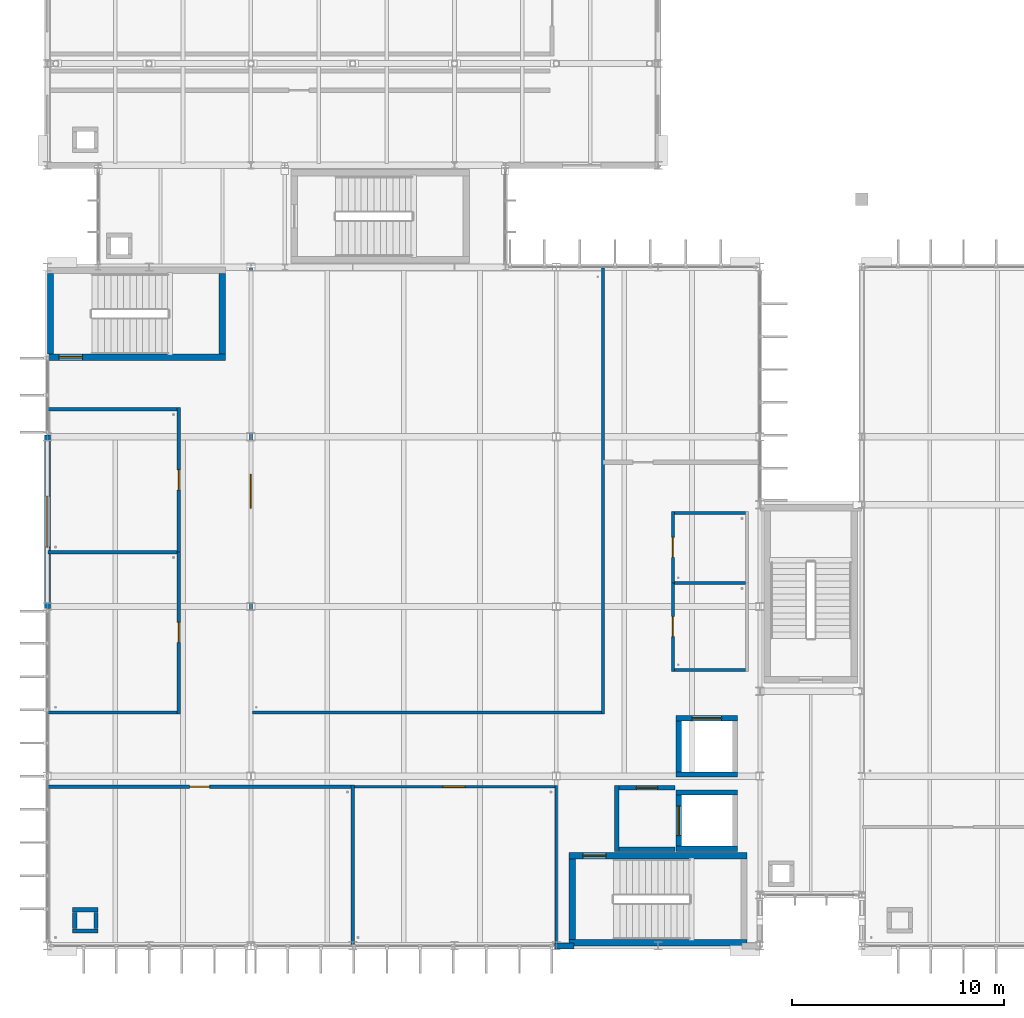
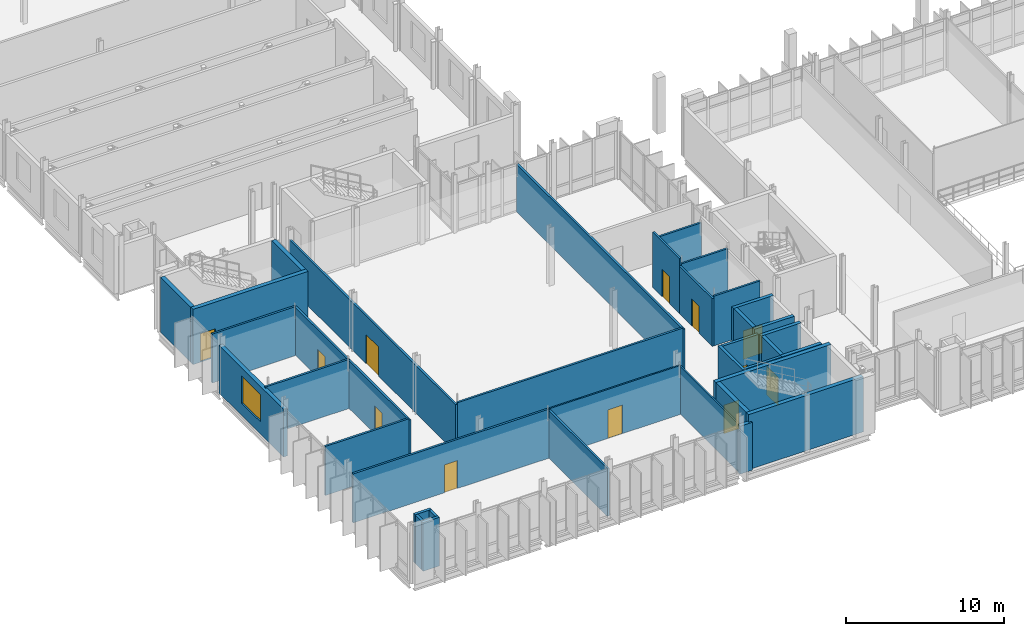
# One storey, part 61 of 110: 38 walls, 12 doors, 1 window, 13 openings.
"""IFC4 building model written with IfcOpenShell, lengths in metres."""

from ifc_helpers import new_model, si_unit, direction, frame, frame_2d, origin, place, context, subcontext, project, spatial, rectangle, extrude, material, layer, layer_set, type_object, element, fill, save


model = new_model("IFC4")

# Units and contexts
model_context = context("Model", 3, precision=1e-05, world=origin(), true_north=direction((0.0, 1.0)))
body_context = subcontext(model_context, "Body", "Model", "MODEL_VIEW")
ifc_project = project(units=[si_unit("LENGTHUNIT", "METRE"), si_unit("AREAUNIT", "SQUARE_METRE"), si_unit("VOLUMEUNIT", "CUBIC_METRE"), si_unit("PLANEANGLEUNIT", "RADIAN"), si_unit("MASSUNIT", "GRAM", prefix="KILO")], contexts=[model_context])

# Site, building, storey
site_placement = place(None, origin())
site = spatial("IfcSite", under=ifc_project, at=site_placement, CompositionType="ELEMENT")
building_placement = place(site_placement, origin())
building = spatial("IfcBuilding", under=site, at=building_placement, Name="Dunescarp Central Library", CompositionType="ELEMENT")
storey_placement = place(building_placement, frame((0.0, 0.0, 9.60009765625)))
storey = spatial("IfcBuildingStorey", under=building, at=storey_placement, Name="L02", CompositionType="ELEMENT", Elevation=9.60009765625)

# Wall, opening, door
ifc_material_1 = material(Name="Gypsum plasterboard acoustic partition")
ifc_layer_1 = layer(ifc_material_1, 0.14990234375)
ifc_layer_set_1 = layer_set([ifc_layer_1], Name="Gypsum plasterboard acoustic partition")
wall_type_1 = type_object("IfcWallType", Name="ARC-PT-AC150", PredefinedType="PARTITIONING", material=ifc_layer_set_1)
wall_1_placement = place(storey_placement, frame((0.0400390625, 12.300048828125, 0.0), z_axis=(0.0, 0.0, 1.0), x_axis=(1.0, 0.0, 0.0)))
wall_1 = element("IfcWall", 1, at=wall_1_placement, inside=storey, type_object=wall_type_1, Name="L02 partition PT-L02-0057", PredefinedType="PARTITIONING", context=body_context, shape_type="SweptSolid", body=[
    extrude(rectangle(XDim=14.284912109375, YDim=0.14990234375, at=frame_2d((7.142578125, 0.0))), origin(), (0.0, 0.0, 1.0), 3.784912109375),
])
opening_1_placement = place(wall_1_placement, frame((6.66796875, 0.0, 0.0)))
opening_1 = element("IfcOpeningElement", 2, at=opening_1_placement, cuts=wall_1, Name="Opening DR-L02-0021", PredefinedType="OPENING", context=body_context, shape_type="SweptSolid", body=[
    extrude(rectangle(XDim=0.949951171875, YDim=2.14990234375, at=frame_2d((0.47509765625, 1.074951171875))), frame((0.0, 0.0849609375, 0.0), z_axis=(0.0, -1.0, 0.0), x_axis=(1.0, 0.0, 0.0)), (0.0, 0.0, 1.0), 0.169921875),
])
ifc_material_2 = material(Name="Hardwood solid-core timber leaf", Category="wood")
door_type_1 = type_object("IfcDoorType", Name="ARC-DR-INT950", OperationType="NOTDEFINED", PredefinedType="DOOR", material=ifc_material_2)
door_1_placement = place(opening_1_placement, origin())
door_1 = element("IfcDoor", 3, at=door_1_placement, inside=storey, type_object=door_type_1, Name="L02 interior door DR-L02-0021", OperationType="SINGLE_SWING_RIGHT", OverallHeight=2.14990234375, OverallWidth=0.949951171875, PredefinedType="DOOR", context=body_context, shape_type="SweptSolid", body=[
    extrude(rectangle(XDim=0.949951171875, YDim=2.14990234375, at=frame_2d((0.47509765625, 1.074951171875))), frame((0.0, 0.02490234375, 0.0), z_axis=(0.0, -1.0, 0.0), x_axis=(1.0, 0.0, 0.0)), (0.0, 0.0, 1.0), 0.050048828125),
])
fill(opening_1, door_1)

# Walls
wall_2_placement = place(storey_placement, frame((14.39990234375, 4.840087890625, 0.0), z_axis=(0.0, 0.0, 1.0), x_axis=(0.0, 1.0, 0.0)))
element("IfcWall", 4, at=wall_2_placement, inside=storey, type_object=wall_type_1, Name="L02 partition PT-L02-0058", PredefinedType="PARTITIONING", context=body_context, shape_type="SweptSolid", body=[
    extrude(rectangle(XDim=7.534912109375, YDim=0.14990234375, at=frame_2d((3.767578125, 0.0))), origin(), (0.0, 0.0, 1.0), 3.684814453125),
])
for number, where, z_axis, x_axis, name in (
    (5, (0.0400390625, 15.800048828125, 0.0), (0.0, 0.0, 1.0), (1.0, 0.0, 0.0), "L02 partition PT-L02-0061"),
    (6, (0.0400390625, 23.360107421875, 0.0), (0.0, 0.0, 1.0), (1.0, 0.0, 0.0), "L02 partition PT-L02-0062"),
):
    element("IfcWall", number, at=place(storey_placement, frame(where, z_axis=z_axis, x_axis=x_axis)), inside=storey, type_object=wall_type_1, Name=name, PredefinedType="PARTITIONING", context=body_context, shape_type="SweptSolid", body=[
        extrude(rectangle(XDim=6.0849609375, YDim=0.14990234375, at=frame_2d((3.04248046875, 0.0))), origin(), (0.0, 0.0, 1.0), 3.784912109375),
    ])

# Wall, opening, door
wall_3_placement = place(storey_placement, frame((6.199951171875, 15.72509765625, 0.0), z_axis=(0.0, 0.0, 1.0), x_axis=(0.0, 1.0, 0.0)))
wall_3 = element("IfcWall", 7, at=wall_3_placement, inside=storey, type_object=wall_type_1, Name="L02 partition PT-L02-0063", PredefinedType="PARTITIONING", context=body_context, shape_type="SweptSolid", body=[
    extrude(rectangle(XDim=7.7099609375, YDim=0.14990234375, at=frame_2d((3.85498046875, 0.0))), origin(), (0.0, 0.0, 1.0), 3.684814453125),
])
opening_2_placement = place(wall_3_placement, frame((3.3798828125, 0.0, 0.0)))
opening_2 = element("IfcOpeningElement", 8, at=opening_2_placement, cuts=wall_3, Name="Opening DR-L02-0023", PredefinedType="OPENING", context=body_context, shape_type="SweptSolid", body=[
    extrude(rectangle(XDim=0.949951171875, YDim=2.14990234375, at=frame_2d((0.47509765625, 1.074951171875))), frame((0.0, 0.0849609375, 0.0), z_axis=(0.0, -1.0, 0.0), x_axis=(1.0, 0.0, 0.0)), (0.0, 0.0, 1.0), 0.169921875),
])
door_2_placement = place(opening_2_placement, origin())
door_2 = element("IfcDoor", 9, at=door_2_placement, inside=storey, type_object=door_type_1, Name="L02 interior door DR-L02-0023", OperationType="SINGLE_SWING_RIGHT", OverallHeight=2.14990234375, OverallWidth=0.949951171875, PredefinedType="DOOR", context=body_context, shape_type="SweptSolid", body=[
    extrude(rectangle(XDim=0.949951171875, YDim=2.14990234375, at=frame_2d((0.47509765625, 1.074951171875))), frame((0.0, 0.02490234375, 0.0), z_axis=(0.0, -1.0, 0.0), x_axis=(1.0, 0.0, 0.0)), (0.0, 0.0, 1.0), 0.050048828125),
])
fill(opening_2, door_2)

# Wall
wall_4_placement = place(storey_placement, frame((0.0400390625, 30.10009765625, 0.0), z_axis=(0.0, 0.0, 1.0), x_axis=(1.0, 0.0, 0.0)))
element("IfcWall", 10, at=wall_4_placement, inside=storey, type_object=wall_type_1, Name="L02 partition PT-L02-0064", PredefinedType="PARTITIONING", context=body_context, shape_type="SweptSolid", body=[
    extrude(rectangle(XDim=6.0849609375, YDim=0.14990234375, at=frame_2d((3.04248046875, 0.0))), origin(), (0.0, 0.0, 1.0), 3.784912109375),
])

# Wall, opening, door
wall_5_placement = place(storey_placement, frame((6.199951171875, 23.360107421875, 0.0), z_axis=(0.0, 0.0, 1.0), x_axis=(0.0, 1.0, 0.0)))
wall_5 = element("IfcWall", 11, at=wall_5_placement, inside=storey, type_object=wall_type_1, Name="L02 partition PT-L02-0065", PredefinedType="PARTITIONING", context=body_context, shape_type="SweptSolid", body=[
    extrude(rectangle(XDim=6.81494140625, YDim=0.14990234375, at=frame_2d((3.407470703125, 0.0))), origin(), (0.0, 0.0, 1.0), 3.684814453125),
])
opening_3_placement = place(wall_5_placement, frame((2.93310546875, 0.0, 0.0)))
opening_3 = element("IfcOpeningElement", 12, at=opening_3_placement, cuts=wall_5, Name="Opening DR-L02-0024", PredefinedType="OPENING", context=body_context, shape_type="SweptSolid", body=[
    extrude(rectangle(XDim=0.949951171875, YDim=2.14990234375, at=frame_2d((0.47509765625, 1.074951171875))), frame((0.0, 0.0849609375, 0.0), z_axis=(0.0, -1.0, 0.0), x_axis=(1.0, 0.0, 0.0)), (0.0, 0.0, 1.0), 0.169921875),
])
door_3_placement = place(opening_3_placement, origin())
door_3 = element("IfcDoor", 13, at=door_3_placement, inside=storey, type_object=door_type_1, Name="L02 interior door DR-L02-0024", OperationType="SINGLE_SWING_LEFT", OverallHeight=2.14990234375, OverallWidth=0.949951171875, PredefinedType="DOOR", context=body_context, shape_type="SweptSolid", body=[
    extrude(rectangle(XDim=0.949951171875, YDim=2.14990234375, at=frame_2d((0.47509765625, 1.074951171875))), frame((0.0, 0.02490234375, 0.0), z_axis=(0.0, -1.0, 0.0), x_axis=(1.0, 0.0, 0.0)), (0.0, 0.0, 1.0), 0.050048828125),
])
fill(opening_3, door_3)

# Wall
wall_6_placement = place(storey_placement, frame((9.675048828125, 15.800048828125, 0.0), z_axis=(0.0, 0.0, 1.0), x_axis=(1.0, 0.0, 0.0)))
element("IfcWall", 14, at=wall_6_placement, inside=storey, type_object=wall_type_1, Name="L02 partition PT-L02-0066", PredefinedType="PARTITIONING", context=body_context, shape_type="SweptSolid", body=[
    extrude(rectangle(XDim=16.449951171875, YDim=0.14990234375, at=frame_2d((8.22509765625, 0.0))), origin(), (0.0, 0.0, 1.0), 3.784912109375),
])

# Wall, opening, door
wall_7_placement = place(storey_placement, frame((9.60009765625, 15.72509765625, 0.0), z_axis=(0.0, 0.0, 1.0), x_axis=(0.0, 1.0, 0.0)))
wall_7 = element("IfcWall", 15, at=wall_7_placement, inside=storey, type_object=wall_type_1, Name="L02 partition PT-L02-0067", PredefinedType="PARTITIONING", context=body_context, shape_type="SweptSolid", body=[
    extrude(rectangle(XDim=21.034912109375, YDim=0.14990234375, at=frame_2d((10.517578125, 0.0))), origin(), (0.0, 0.0, 1.0), 3.684814453125),
])
opening_4_placement = place(wall_7_placement, frame((9.717041015625, 0.0, 0.0)))
opening_4 = element("IfcOpeningElement", 16, at=opening_4_placement, cuts=wall_7, Name="Opening DR-L02-0025", PredefinedType="OPENING", context=body_context, shape_type="SweptSolid", body=[
    extrude(rectangle(XDim=1.60009765625, YDim=2.25, at=frame_2d((0.800048828125, 1.125))), frame((0.0, 0.0849609375, 0.0), z_axis=(0.0, -1.0, 0.0), x_axis=(1.0, 0.0, 0.0)), (0.0, 0.0, 1.0), 0.169921875),
])
ifc_material_3 = material(Name="Marine-grade anodised aluminium 6063-T6", Category="aluminium")
door_type_2 = type_object("IfcDoorType", Name="ARC-DR-DBL1600", OperationType="DOUBLE_DOOR_SINGLE_SWING", PredefinedType="DOOR", material=ifc_material_3)
door_4_placement = place(opening_4_placement, origin())
door_4 = element("IfcDoor", 17, at=door_4_placement, inside=storey, type_object=door_type_2, Name="L02 interior door DR-L02-0025", OperationType="DOUBLE_DOOR_SINGLE_SWING", OverallHeight=2.25, OverallWidth=1.60009765625, PredefinedType="DOOR", context=body_context, shape_type="SweptSolid", body=[
    extrude(rectangle(XDim=1.60009765625, YDim=2.25, at=frame_2d((0.800048828125, 1.125))), frame((0.0, 0.02490234375, 0.0), z_axis=(0.0, -1.0, 0.0), x_axis=(1.0, 0.0, 0.0)), (0.0, 0.0, 1.0), 0.050048828125),
])
fill(opening_4, door_4)

# Walls
wall_8_placement = place(storey_placement, frame((26.199951171875, 15.72509765625, 0.0), z_axis=(0.0, 0.0, 1.0), x_axis=(0.0, 1.0, 0.0)))
element("IfcWall", 18, at=wall_8_placement, inside=storey, type_object=wall_type_1, Name="L02 partition PT-L02-0068", PredefinedType="PARTITIONING", context=body_context, shape_type="SweptSolid", body=[
    extrude(rectangle(XDim=21.034912109375, YDim=0.14990234375, at=frame_2d((10.517578125, 0.0))), origin(), (0.0, 0.0, 1.0), 3.684814453125),
])
ifc_material_4 = material(Name="Concrete C35/45", Category="concrete")
ifc_layer_2 = layer(ifc_material_4, 0.199951171875)
ifc_layer_set_2 = layer_set([ifc_layer_2], Name="Concrete C35/45")
wall_type_2 = type_object("IfcWallType", Name="ARC-PT-FIRE200", PredefinedType="PARTITIONING", material=ifc_layer_set_2)
wall_9_placement = place(storey_placement, frame((26.949951171875, 9.35009765625, 0.0), z_axis=(0.0, 0.0, 1.0), x_axis=(1.0, 0.0, 0.0)))
element("IfcWall", 19, at=wall_9_placement, inside=storey, type_object=wall_type_2, Name="L02 partition PT-L02-0047", PredefinedType="PARTITIONING", context=body_context, shape_type="SweptSolid", body=[
    extrude(rectangle(XDim=2.650146484375, YDim=0.199951171875, at=frame_2d((1.3251953125, 0.0))), origin(), (0.0, 0.0, 1.0), 4.260009765625),
])

# Wall, opening, door
wall_10_placement = place(storey_placement, frame((26.949951171875, 12.25, 0.0), z_axis=(0.0, 0.0, 1.0), x_axis=(1.0, 0.0, 0.0)))
wall_10 = element("IfcWall", 20, at=wall_10_placement, inside=storey, type_object=wall_type_2, Name="L02 partition PT-L02-0048", PredefinedType="PARTITIONING", context=body_context, shape_type="SweptSolid", body=[
    extrude(rectangle(XDim=2.650146484375, YDim=0.199951171875, at=frame_2d((1.3251953125, 0.0))), origin(), (0.0, 0.0, 1.0), 4.260009765625),
])
opening_5_placement = place(wall_10_placement, frame((0.824951171875, 0.0, 0.0)))
opening_5 = element("IfcOpeningElement", 21, at=opening_5_placement, cuts=wall_10, Name="Opening DR-L02-0018", PredefinedType="OPENING", context=body_context, shape_type="SweptSolid", body=[
    extrude(rectangle(XDim=1.0, YDim=2.199951171875, at=frame_2d((0.5, 1.10009765625))), frame((0.0, 0.10986328125, 0.0), z_axis=(0.0, -1.0, 0.0), x_axis=(1.0, 0.0, 0.0)), (0.0, 0.0, 1.0), 0.219970703125),
])
door_type_3 = type_object("IfcDoorType", Name="ARC-DR-INT1000", OperationType="NOTDEFINED", PredefinedType="DOOR", material=ifc_material_2)
door_5_placement = place(opening_5_placement, origin())
door_5 = element("IfcDoor", 22, at=door_5_placement, inside=storey, type_object=door_type_3, Name="L02 interior door DR-L02-0018", OperationType="SINGLE_SWING_LEFT", OverallHeight=2.199951171875, OverallWidth=1.0, PredefinedType="DOOR", context=body_context, shape_type="SweptSolid", body=[
    extrude(rectangle(XDim=1.0, YDim=2.199951171875, at=frame_2d((0.5, 1.10009765625))), frame((0.0, 0.02490234375, 0.0), z_axis=(0.0, -1.0, 0.0), x_axis=(1.0, 0.0, 0.0)), (0.0, 0.0, 1.0), 0.050048828125),
])
fill(opening_5, door_5)

# Wall
wall_11_placement = place(storey_placement, frame((26.85009765625, 9.25, 0.0), z_axis=(0.0, 0.0, 1.0), x_axis=(0.0, 1.0, 0.0)))
element("IfcWall", 23, at=wall_11_placement, inside=storey, type_object=wall_type_2, Name="L02 partition PT-L02-0049", PredefinedType="PARTITIONING", context=body_context, shape_type="SweptSolid", body=[
    extrude(rectangle(XDim=3.10009765625, YDim=0.199951171875, at=frame_2d((1.550048828125, 0.0))), origin(), (0.0, 0.0, 1.0), 4.260009765625),
])

# Wall, opening, door
ifc_layer_3 = layer(ifc_material_1, 0.110107421875)
ifc_layer_set_3 = layer_set([ifc_layer_3], Name="Gypsum plasterboard acoustic partition")
wall_type_3 = type_object("IfcWallType", Name="ARC-PT-GYP110", PredefinedType="PARTITIONING", material=ifc_layer_set_3)
wall_12_placement = place(storey_placement, frame((14.39990234375, 12.300048828125, 0.0), z_axis=(0.0, 0.0, 1.0), x_axis=(1.0, 0.0, 0.0)))
wall_12 = element("IfcWall", 24, at=wall_12_placement, inside=storey, type_object=wall_type_3, Name="L02 partition PT-L02-0059", PredefinedType="PARTITIONING", context=body_context, shape_type="SweptSolid", body=[
    extrude(rectangle(XDim=9.545166015625, YDim=0.110107421875, at=frame_2d((4.7724609375, 0.0))), origin(), (0.0, 0.0, 1.0), 3.784912109375),
])
opening_6_placement = place(wall_12_placement, frame((4.2470703125, 0.0, 0.0)))
opening_6 = element("IfcOpeningElement", 25, at=opening_6_placement, cuts=wall_12, Name="Opening DR-L02-0022", PredefinedType="OPENING", context=body_context, shape_type="SweptSolid", body=[
    extrude(rectangle(XDim=1.050048828125, YDim=2.199951171875, at=frame_2d((0.52490234375, 1.10009765625))), frame((0.0, 0.06494140625, 0.0), z_axis=(0.0, -1.0, 0.0), x_axis=(1.0, 0.0, 0.0)), (0.0, 0.0, 1.0), 0.130126953125),
])
door_type_4 = type_object("IfcDoorType", Name="ARC-DR-INT1050", OperationType="NOTDEFINED", PredefinedType="DOOR", material=ifc_material_2)
door_6_placement = place(opening_6_placement, origin())
door_6 = element("IfcDoor", 26, at=door_6_placement, inside=storey, type_object=door_type_4, Name="L02 interior door DR-L02-0022", OperationType="SINGLE_SWING_LEFT", OverallHeight=2.199951171875, OverallWidth=1.050048828125, PredefinedType="DOOR", context=body_context, shape_type="SweptSolid", body=[
    extrude(rectangle(XDim=1.050048828125, YDim=2.199951171875, at=frame_2d((0.52490234375, 1.10009765625))), frame((0.0, 0.02490234375, 0.0), z_axis=(0.0, -1.0, 0.0), x_axis=(1.0, 0.0, 0.0)), (0.0, 0.0, 1.0), 0.050048828125),
])
fill(opening_6, door_6)

# Walls
wall_13_placement = place(storey_placement, frame((24.0, 4.840087890625, 0.0), z_axis=(0.0, 0.0, 1.0), x_axis=(0.0, 1.0, 0.0)))
element("IfcWall", 27, at=wall_13_placement, inside=storey, type_object=wall_type_3, Name="L02 partition PT-L02-0060", PredefinedType="PARTITIONING", context=body_context, shape_type="SweptSolid", body=[
    extrude(rectangle(XDim=7.514892578125, YDim=0.110107421875, at=frame_2d((3.75732421875, 0.0))), origin(), (0.0, 0.0, 1.0), 3.684814453125),
])
ifc_material_5 = material(Name="Autoclaved aerated concrete block", Category="concrete")
ifc_layer_4 = layer(ifc_material_5, 0.139892578125)
ifc_layer_set_4 = layer_set([ifc_layer_4], Name="Autoclaved aerated concrete block")
wall_type_4 = type_object("IfcWallType", Name="ARC-PT-WET140", PredefinedType="PARTITIONING", material=ifc_layer_set_4)
for number, where, z_axis, x_axis, name in (
    (28, (29.570068359375, 17.800048828125, 0.0), (0.0, 0.0, 1.0), (1.0, 0.0, 0.0), "L02 partition PT-L02-0050"),
    (29, (29.570068359375, 21.89990234375, 0.0), (0.0, 0.0, 1.0), (1.0, 0.0, 0.0), "L02 partition PT-L02-0051"),
):
    element("IfcWall", number, at=place(storey_placement, frame(where, z_axis=z_axis, x_axis=x_axis)), inside=storey, type_object=wall_type_4, Name=name, PredefinedType="PARTITIONING", context=body_context, shape_type="SweptSolid", body=[
        extrude(rectangle(XDim=3.35986328125, YDim=0.139892578125, at=frame_2d((1.679931640625, 0.0))), origin(), (0.0, 0.0, 1.0), 3.8349609375),
    ])

# Wall, opening, door
wall_14_placement = place(storey_placement, frame((29.5, 17.72998046875, 0.0), z_axis=(0.0, 0.0, 1.0), x_axis=(0.0, 1.0, 0.0)))
wall_14 = element("IfcWall", 30, at=wall_14_placement, inside=storey, type_object=wall_type_4, Name="L02 partition PT-L02-0052", PredefinedType="PARTITIONING", context=body_context, shape_type="SweptSolid", body=[
    extrude(rectangle(XDim=4.239990234375, YDim=0.139892578125, at=frame_2d((2.1201171875, 0.0))), origin(), (0.0, 0.0, 1.0), 3.684814453125),
])
opening_7_placement = place(wall_14_placement, frame((1.64501953125, 0.0, 0.0)))
opening_7 = element("IfcOpeningElement", 31, at=opening_7_placement, cuts=wall_14, Name="Opening DR-L02-0019", PredefinedType="OPENING", context=body_context, shape_type="SweptSolid", body=[
    extrude(rectangle(XDim=0.949951171875, YDim=2.10009765625, at=frame_2d((0.47509765625, 1.050048828125))), frame((0.0, 0.080078125, 0.0), z_axis=(0.0, -1.0, 0.0), x_axis=(1.0, 0.0, 0.0)), (0.0, 0.0, 1.0), 0.159912109375),
])
door_type_5 = type_object("IfcDoorType", Name="ARC-DR-WC950", OperationType="NOTDEFINED", PredefinedType="DOOR", material=ifc_material_2)
door_7_placement = place(opening_7_placement, origin())
door_7 = element("IfcDoor", 32, at=door_7_placement, inside=storey, type_object=door_type_5, Name="L02 interior door DR-L02-0019", OperationType="SINGLE_SWING_RIGHT", OverallHeight=2.10009765625, OverallWidth=0.949951171875, PredefinedType="DOOR", context=body_context, shape_type="SweptSolid", body=[
    extrude(rectangle(XDim=0.949951171875, YDim=2.10009765625, at=frame_2d((0.47509765625, 1.050048828125))), frame((0.0, 0.02490234375, 0.0), z_axis=(0.0, -1.0, 0.0), x_axis=(1.0, 0.0, 0.0)), (0.0, 0.0, 1.0), 0.050048828125),
])
fill(opening_7, door_7)

# Wall
wall_15_placement = place(storey_placement, frame((29.570068359375, 25.199951171875, 0.0), z_axis=(0.0, 0.0, 1.0), x_axis=(1.0, 0.0, 0.0)))
element("IfcWall", 33, at=wall_15_placement, inside=storey, type_object=wall_type_4, Name="L02 partition PT-L02-0054", PredefinedType="PARTITIONING", context=body_context, shape_type="SweptSolid", body=[
    extrude(rectangle(XDim=3.35986328125, YDim=0.139892578125, at=frame_2d((1.679931640625, 0.0))), origin(), (0.0, 0.0, 1.0), 3.8349609375),
])

# Wall, opening, door
wall_16_placement = place(storey_placement, frame((29.5, 21.89990234375, 0.0), z_axis=(0.0, 0.0, 1.0), x_axis=(0.0, 1.0, 0.0)))
wall_16 = element("IfcWall", 34, at=wall_16_placement, inside=storey, type_object=wall_type_4, Name="L02 partition PT-L02-0055", PredefinedType="PARTITIONING", context=body_context, shape_type="SweptSolid", body=[
    extrude(rectangle(XDim=3.3701171875, YDim=0.139892578125, at=frame_2d((1.68505859375, 0.0))), origin(), (0.0, 0.0, 1.0), 4.260009765625),
])
opening_8_placement = place(wall_16_placement, frame((1.2099609375, 0.0, 0.0)))
opening_8 = element("IfcOpeningElement", 35, at=opening_8_placement, cuts=wall_16, Name="Opening DR-L02-0020", PredefinedType="OPENING", context=body_context, shape_type="SweptSolid", body=[
    extrude(rectangle(XDim=0.949951171875, YDim=2.10009765625, at=frame_2d((0.47509765625, 1.050048828125))), frame((0.0, 0.080078125, 0.0), z_axis=(0.0, -1.0, 0.0), x_axis=(1.0, 0.0, 0.0)), (0.0, 0.0, 1.0), 0.159912109375),
])
door_8_placement = place(opening_8_placement, origin())
door_8 = element("IfcDoor", 36, at=door_8_placement, inside=storey, type_object=door_type_5, Name="L02 interior door DR-L02-0020", OperationType="SINGLE_SWING_LEFT", OverallHeight=2.10009765625, OverallWidth=0.949951171875, PredefinedType="DOOR", context=body_context, shape_type="SweptSolid", body=[
    extrude(rectangle(XDim=0.949951171875, YDim=2.10009765625, at=frame_2d((0.47509765625, 1.050048828125))), frame((0.0, 0.02490234375, 0.0), z_axis=(0.0, -1.0, 0.0), x_axis=(1.0, 0.0, 0.0)), (0.0, 0.0, 1.0), 0.050048828125),
])
fill(opening_8, door_8)

# Wall
ifc_material_6 = material(Name="Glass-fibre reinforced concrete GRC", Category="concrete")
ifc_layer_5 = layer(ifc_material_6, 0.280029296875)
ifc_layer_set_5 = layer_set([ifc_layer_5], Name="Glass-fibre reinforced concrete GRC")
wall_type_5 = type_object("IfcWallType", Name="ARC-WL-GRC280", PredefinedType="SOLIDWALL", material=ifc_layer_set_5)
wall_17_placement = place(storey_placement, frame((24.8349609375, 4.800048828125, 0.0), z_axis=(0.0, 0.0, 1.0), x_axis=(-1.0, 0.0, 0.0)))
element("IfcWall", 37, at=wall_17_placement, inside=storey, type_object=wall_type_5, Name="L02 external wall EW-V1-010", PredefinedType="SOLIDWALL", context=body_context, shape_type="SweptSolid", body=[
    extrude(rectangle(XDim=0.919921875, YDim=0.280029296875, at=frame_2d((0.4599609375, 0.0))), origin(), (0.0, 0.0, 1.0), 3.684814453125),
])

# Wall, opening, window
wall_18_placement = place(storey_placement, frame((0.0, 20.715087890625, 0.0), z_axis=(0.0, 0.0, 1.0), x_axis=(0.0, 1.0, 0.0)))
wall_18 = element("IfcWall", 38, at=wall_18_placement, inside=storey, type_object=wall_type_5, Name="L02 external wall EW-V1-012", PredefinedType="SOLIDWALL", context=body_context, shape_type="SweptSolid", body=[
    extrude(rectangle(XDim=8.169921875, YDim=0.280029296875, at=frame_2d((4.0849609375, 0.0))), origin(), (0.0, 0.0, 1.0), 3.684814453125),
])
opening_9_placement = place(wall_18_placement, frame((2.885009765625, 0.0, 0.949951171875)))
opening_9 = element("IfcOpeningElement", 39, at=opening_9_placement, cuts=wall_18, Name="Opening WN-003", PredefinedType="OPENING", context=body_context, shape_type="SweptSolid", body=[
    extrude(rectangle(XDim=2.39990234375, YDim=2.10009765625, at=frame_2d((1.199951171875, 1.050048828125))), frame((0.0, 0.14990234375, 0.0), z_axis=(0.0, -1.0, 0.0), x_axis=(1.0, 0.0, 0.0)), (0.0, 0.0, 1.0), 0.300048828125),
])
ifc_material_7 = material(Name="Solar-control laminated double glazing", Category="glass")
window_type = type_object("IfcWindowType", Name="ARC-WN-2400X2100", PartitioningType="SINGLE_PANEL", PredefinedType="WINDOW", material=ifc_material_7)
window_placement = place(opening_9_placement, origin())
window = element("IfcWindow", 40, at=window_placement, inside=storey, type_object=window_type, Name="L02 window WN-003", OverallHeight=2.10009765625, OverallWidth=2.39990234375, PartitioningType="SINGLE_PANEL", PredefinedType="WINDOW", context=body_context, shape_type="SweptSolid", body=[
    extrude(rectangle(XDim=2.39990234375, YDim=2.10009765625, at=frame_2d((1.199951171875, 1.050048828125))), frame((0.0, 0.030029296875, 0.0), z_axis=(0.0, -1.0, 0.0), x_axis=(1.0, 0.0, 0.0)), (0.0, 0.0, 1.0), 0.06005859375),
])
fill(opening_9, window)

# Walls
ifc_layer_6 = layer(ifc_material_4, 0.199951171875)
ifc_layer_set_6 = layer_set([ifc_layer_6], Name="Concrete C35/45")
wall_type_6 = type_object("IfcWallType", Name="ARC-WL-RISER200", PredefinedType="PARTITIONING", material=ifc_layer_set_6)
for number, where, z_axis, x_axis, name in (
    (41, (2.39990234375, 5.5, 0.0), (0.0, 0.0, 1.0), (-1.0, 0.0, 0.0), "L02 V1 duct shaft wall S"),
    (42, (1.199951171875, 6.5, 0.0), (0.0, 0.0, 1.0), (1.0, 0.0, 0.0), "L02 V1 duct shaft wall N"),
):
    element("IfcWall", number, at=place(storey_placement, frame(where, z_axis=z_axis, x_axis=x_axis)), inside=storey, type_object=wall_type_6, Name=name, PredefinedType="PARTITIONING", context=body_context, shape_type="SweptSolid", body=[
        extrude(rectangle(XDim=1.199951171875, YDim=0.199951171875, at=frame_2d((0.60009765625, 0.0))), origin(), (0.0, 0.0, 1.0), 3.760009765625),
    ])
for number, where, z_axis, x_axis, name in (
    (43, (1.300048828125, 5.6201171875, 0.0), (0.0, 0.0, 1.0), (0.0, 1.0, 0.0), "L02 V1 duct shaft wall W"),
    (44, (2.300048828125, 6.3798828125, 0.0), (0.0, 0.0, 1.0), (0.0, -1.0, 0.0), "L02 V1 duct shaft wall E"),
):
    element("IfcWall", number, at=place(storey_placement, frame(where, z_axis=z_axis, x_axis=x_axis)), inside=storey, type_object=wall_type_6, Name=name, PredefinedType="PARTITIONING", context=body_context, shape_type="SweptSolid", body=[
        extrude(rectangle(XDim=0.759765625, YDim=0.199951171875, at=frame_2d((0.3798828125, 0.0))), origin(), (0.0, 0.0, 1.0), 3.760009765625),
    ])
ifc_material_8 = material(Name="Concrete C40/50", Category="concrete")
ifc_layer_7 = layer(ifc_material_8, 0.25)
ifc_layer_set_7 = layer_set([ifc_layer_7], Name="Concrete C40/50")
wall_type_7 = type_object("IfcWallType", Name="STR-WL-CORE250", PredefinedType="SHEAR", material=ifc_layer_set_7)
for number, where, z_axis, x_axis, name in (
    (45, (32.550048828125, 9.375, 0.0), (0.0, 0.0, 1.0), (-1.0, 0.0, 0.0), "L02 FFL-1 lift shaft wall S"),
    (46, (29.64990234375, 12.02490234375, 0.0), (0.0, 0.0, 1.0), (1.0, 0.0, 0.0), "L02 FFL-1 lift shaft wall N"),
):
    element("IfcWall", number, at=place(storey_placement, frame(where, z_axis=z_axis, x_axis=x_axis)), inside=storey, type_object=wall_type_7, Name=name, PredefinedType="SHEAR", context=body_context, shape_type="SweptSolid", body=[
        extrude(rectangle(XDim=2.900146484375, YDim=0.25, at=frame_2d((1.4501953125, 0.0))), origin(), (0.0, 0.0, 1.0), 4.260009765625),
    ])

# Wall, opening, door
wall_19_placement = place(storey_placement, frame((29.77490234375, 9.5, 0.0), z_axis=(0.0, 0.0, 1.0), x_axis=(0.0, 1.0, 0.0)))
wall_19 = element("IfcWall", 47, at=wall_19_placement, inside=storey, type_object=wall_type_7, Name="L02 FFL-1 lift shaft wall W", PredefinedType="SHEAR", context=body_context, shape_type="SweptSolid", body=[
    extrude(rectangle(XDim=2.39990234375, YDim=0.25, at=frame_2d((1.199951171875, 0.0))), origin(), (0.0, 0.0, 1.0), 4.260009765625),
])
opening_10_placement = place(wall_19_placement, frame((0.5, 0.0, 0.0)))
opening_10 = element("IfcOpeningElement", 48, at=opening_10_placement, cuts=wall_19, Name="Opening LD-FFL-1-L02", PredefinedType="OPENING", context=body_context, shape_type="SweptSolid", body=[
    extrude(rectangle(XDim=1.39990234375, YDim=2.199951171875, at=frame_2d((0.699951171875, 1.10009765625))), frame((0.0, 0.135009765625, 0.0), z_axis=(0.0, -1.0, 0.0), x_axis=(1.0, 0.0, 0.0)), (0.0, 0.0, 1.0), 0.27001953125),
])
ifc_material_9 = material(Name="Stainless steel Grade 316L", Category="steel")
door_type_6 = type_object("IfcDoorType", Name="ARC-DR-LD1400", OperationType="DOUBLE_DOOR_SLIDING", PredefinedType="DOOR", material=ifc_material_9)
door_9_placement = place(opening_10_placement, origin())
door_9 = element("IfcDoor", 49, at=door_9_placement, inside=storey, type_object=door_type_6, Name="L02 FFL-1 lift landing door", OperationType="DOUBLE_DOOR_SLIDING", OverallHeight=2.199951171875, OverallWidth=1.39990234375, PredefinedType="DOOR", context=body_context, shape_type="SweptSolid", body=[
    extrude(rectangle(XDim=1.39990234375, YDim=2.199951171875, at=frame_2d((0.699951171875, 1.10009765625))), frame((0.0, 0.02490234375, 0.0), z_axis=(0.0, -1.0, 0.0), x_axis=(1.0, 0.0, 0.0)), (0.0, 0.0, 1.0), 0.050048828125),
])
fill(opening_10, door_9)

# Wall
wall_20_placement = place(storey_placement, frame((32.550048828125, 12.875, 0.0), z_axis=(0.0, 0.0, 1.0), x_axis=(-1.0, 0.0, 0.0)))
element("IfcWall", 50, at=wall_20_placement, inside=storey, type_object=wall_type_7, Name="L02 SL-1 lift shaft wall S", PredefinedType="SHEAR", context=body_context, shape_type="SweptSolid", body=[
    extrude(rectangle(XDim=2.900146484375, YDim=0.25, at=frame_2d((1.4501953125, 0.0))), origin(), (0.0, 0.0, 1.0), 4.260009765625),
])

# Wall, opening, door
wall_21_placement = place(storey_placement, frame((29.64990234375, 15.52490234375, 0.0), z_axis=(0.0, 0.0, 1.0), x_axis=(1.0, 0.0, 0.0)))
wall_21 = element("IfcWall", 51, at=wall_21_placement, inside=storey, type_object=wall_type_7, Name="L02 SL-1 lift shaft wall N", PredefinedType="SHEAR", context=body_context, shape_type="SweptSolid", body=[
    extrude(rectangle(XDim=2.900146484375, YDim=0.25, at=frame_2d((1.4501953125, 0.0))), origin(), (0.0, 0.0, 1.0), 4.260009765625),
])
opening_11_placement = place(wall_21_placement, frame((0.75, 0.0, 0.0)))
opening_11 = element("IfcOpeningElement", 52, at=opening_11_placement, cuts=wall_21, Name="Opening LD-SL-1-L02", PredefinedType="OPENING", context=body_context, shape_type="SweptSolid", body=[
    extrude(rectangle(XDim=1.39990234375, YDim=2.199951171875, at=frame_2d((0.699951171875, 1.10009765625))), frame((0.0, 0.135009765625, 0.0), z_axis=(0.0, -1.0, 0.0), x_axis=(1.0, 0.0, 0.0)), (0.0, 0.0, 1.0), 0.27001953125),
])
door_10_placement = place(opening_11_placement, origin())
door_10 = element("IfcDoor", 53, at=door_10_placement, inside=storey, type_object=door_type_6, Name="L02 SL-1 lift landing door", OperationType="DOUBLE_DOOR_SLIDING", OverallHeight=2.199951171875, OverallWidth=1.39990234375, PredefinedType="DOOR", context=body_context, shape_type="SweptSolid", body=[
    extrude(rectangle(XDim=1.39990234375, YDim=2.199951171875, at=frame_2d((0.699951171875, 1.10009765625))), frame((0.0, 0.02490234375, 0.0), z_axis=(0.0, -1.0, 0.0), x_axis=(1.0, 0.0, 0.0)), (0.0, 0.0, 1.0), 0.050048828125),
])
fill(opening_11, door_10)

# Walls
wall_22_placement = place(storey_placement, frame((29.77490234375, 13.0, 0.0), z_axis=(0.0, 0.0, 1.0), x_axis=(0.0, 1.0, 0.0)))
element("IfcWall", 54, at=wall_22_placement, inside=storey, type_object=wall_type_7, Name="L02 SL-1 lift shaft wall W", PredefinedType="SHEAR", context=body_context, shape_type="SweptSolid", body=[
    extrude(rectangle(XDim=2.39990234375, YDim=0.25, at=frame_2d((1.199951171875, 0.0))), origin(), (0.0, 0.0, 1.0), 4.260009765625),
])
ifc_layer_8 = layer(ifc_material_8, 0.300048828125)
ifc_layer_set_8 = layer_set([ifc_layer_8], Name="Concrete C40/50")
wall_type_8 = type_object("IfcWallType", Name="STR-WL-CORE300", PredefinedType="SHEAR", material=ifc_layer_set_8)
wall_23_placement = place(storey_placement, frame((33.0, 4.949951171875, 0.0), z_axis=(0.0, 0.0, 1.0), x_axis=(-1.0, 0.0, 0.0)))
element("IfcWall", 55, at=wall_23_placement, inside=storey, type_object=wall_type_8, Name="L02 ST-1 south core wall", PredefinedType="SHEAR", context=body_context, shape_type="SweptSolid", body=[
    extrude(rectangle(XDim=8.39990234375, YDim=0.300048828125, at=frame_2d((4.199951171875, 0.0))), origin(), (0.0, 0.0, 1.0), 4.260009765625),
])

# Wall, opening, door
wall_24_placement = place(storey_placement, frame((24.60009765625, 9.050048828125, 0.0), z_axis=(0.0, 0.0, 1.0), x_axis=(1.0, 0.0, 0.0)))
wall_24 = element("IfcWall", 56, at=wall_24_placement, inside=storey, type_object=wall_type_8, Name="L02 ST-1 north core wall", PredefinedType="SHEAR", context=body_context, shape_type="SweptSolid", body=[
    extrude(rectangle(XDim=8.39990234375, YDim=0.300048828125, at=frame_2d((4.199951171875, 0.0))), origin(), (0.0, 0.0, 1.0), 4.260009765625),
])
opening_12_placement = place(wall_24_placement, frame((0.64990234375, 0.0, 0.0)))
opening_12 = element("IfcOpeningElement", 57, at=opening_12_placement, cuts=wall_24, Name="Opening D-ST-1-L02", PredefinedType="OPENING", context=body_context, shape_type="SweptSolid", body=[
    extrude(rectangle(XDim=1.10009765625, YDim=2.199951171875, at=frame_2d((0.550048828125, 1.10009765625))), frame((0.0, 0.16015625, 0.0), z_axis=(0.0, -1.0, 0.0), x_axis=(1.0, 0.0, 0.0)), (0.0, 0.0, 1.0), 0.320068359375),
])
ifc_material_10 = material(Name="Galvanised steel FD120S", Category="steel")
door_type_7 = type_object("IfcDoorType", Name="ARC-DR-STAIR", OperationType="NOTDEFINED", PredefinedType="DOOR", material=ifc_material_10)
door_11_placement = place(opening_12_placement, origin())
door_11 = element("IfcDoor", 58, at=door_11_placement, inside=storey, type_object=door_type_7, Name="L02 ST-1 fire stair door", OperationType="SINGLE_SWING_RIGHT", OverallHeight=2.199951171875, OverallWidth=1.10009765625, PredefinedType="DOOR", context=body_context, shape_type="SweptSolid", body=[
    extrude(rectangle(XDim=1.10009765625, YDim=2.199951171875, at=frame_2d((0.550048828125, 1.10009765625))), frame((0.0, 0.02490234375, 0.0), z_axis=(0.0, -1.0, 0.0), x_axis=(1.0, 0.0, 0.0)), (0.0, 0.0, 1.0), 0.050048828125),
])
fill(opening_12, door_11)

# Wall
wall_25_placement = place(storey_placement, frame((24.75, 5.10009765625, 0.0), z_axis=(0.0, 0.0, 1.0), x_axis=(0.0, 1.0, 0.0)))
element("IfcWall", 59, at=wall_25_placement, inside=storey, type_object=wall_type_8, Name="L02 ST-1 west core wall", PredefinedType="SHEAR", context=body_context, shape_type="SweptSolid", body=[
    extrude(rectangle(XDim=3.7998046875, YDim=0.300048828125, at=frame_2d((1.89990234375, 0.0))), origin(), (0.0, 0.0, 1.0), 4.260009765625),
])

# Wall, opening, door
wall_26_placement = place(storey_placement, frame((8.39990234375, 32.550048828125, 0.0), z_axis=(0.0, 0.0, 1.0), x_axis=(-1.0, 0.0, 0.0)))
wall_26 = element("IfcWall", 60, at=wall_26_placement, inside=storey, type_object=wall_type_8, Name="L02 ST-6 south core wall", PredefinedType="SHEAR", context=body_context, shape_type="SweptSolid", body=[
    extrude(rectangle(XDim=8.39990234375, YDim=0.300048828125, at=frame_2d((4.199951171875, 0.0))), origin(), (0.0, 0.0, 1.0), 4.260009765625),
])
opening_13_placement = place(wall_26_placement, frame((6.75, 0.0, 0.0)))
opening_13 = element("IfcOpeningElement", 61, at=opening_13_placement, cuts=wall_26, Name="Opening D-ST-6-L02", PredefinedType="OPENING", context=body_context, shape_type="SweptSolid", body=[
    extrude(rectangle(XDim=1.10009765625, YDim=2.199951171875, at=frame_2d((0.550048828125, 1.10009765625))), frame((0.0, 0.16015625, 0.0), z_axis=(0.0, -1.0, 0.0), x_axis=(1.0, 0.0, 0.0)), (0.0, 0.0, 1.0), 0.320068359375),
])
door_12_placement = place(opening_13_placement, origin())
door_12 = element("IfcDoor", 62, at=door_12_placement, inside=storey, type_object=door_type_7, Name="L02 ST-6 fire stair door", OperationType="SINGLE_SWING_LEFT", OverallHeight=2.199951171875, OverallWidth=1.10009765625, PredefinedType="DOOR", context=body_context, shape_type="SweptSolid", body=[
    extrude(rectangle(XDim=1.10009765625, YDim=2.199951171875, at=frame_2d((0.550048828125, 1.10009765625))), frame((0.0, 0.02490234375, 0.0), z_axis=(0.0, -1.0, 0.0), x_axis=(1.0, 0.0, 0.0)), (0.0, 0.0, 1.0), 0.050048828125),
])
fill(opening_13, door_12)

# Walls
for number, where, z_axis, x_axis, name in (
    (63, (0.14990234375, 32.699951171875, 0.0), (0.0, 0.0, 1.0), (0.0, 1.0, 0.0), "L02 ST-6 west core wall"),
    (64, (8.25, 36.5, 0.0), (0.0, 0.0, 1.0), (0.0, -1.0, 0.0), "L02 ST-6 east core wall"),
):
    element("IfcWall", number, at=place(storey_placement, frame(where, z_axis=z_axis, x_axis=x_axis)), inside=storey, type_object=wall_type_8, Name=name, PredefinedType="SHEAR", context=body_context, shape_type="SweptSolid", body=[
        extrude(rectangle(XDim=3.800048828125, YDim=0.300048828125, at=frame_2d((1.89990234375, 0.0))), origin(), (0.0, 0.0, 1.0), 4.260009765625),
    ])

save(model, "model.ifc")
